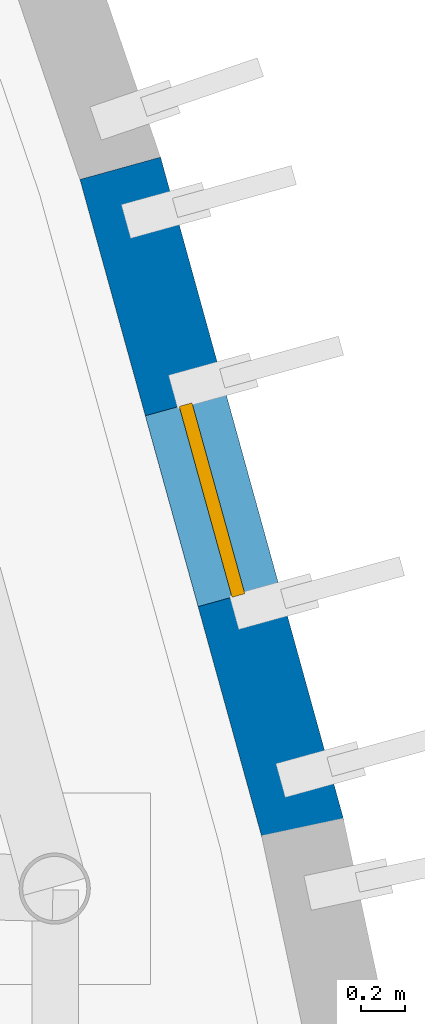
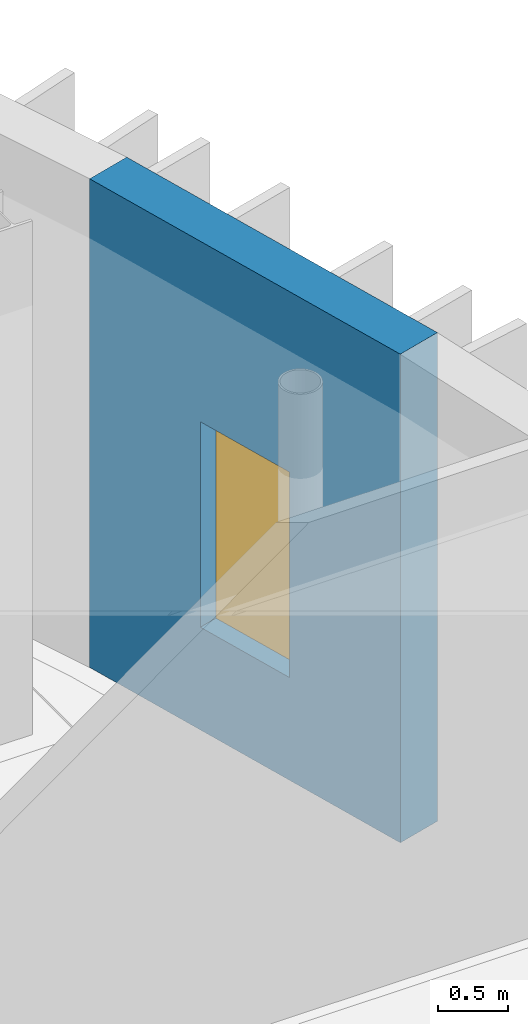
# One storey, part 47 of 62: 1 wall, 1 window, 1 opening.
"""IFC4 building model written with IfcOpenShell, lengths in metres."""

from ifc_helpers import new_model, si_unit, direction, frame, frame_2d, origin, place, context, subcontext, project, spatial, rectangle, extrude, material, layer, layer_set, type_object, element, fill, save


model = new_model("IFC4")

# Units and contexts
model_context = context("Model", 3, precision=1e-05, world=origin(), true_north=direction((0.0, 1.0)))
body_context = subcontext(model_context, "Body", "Model", "MODEL_VIEW")
ifc_project = project(units=[si_unit("LENGTHUNIT", "METRE"), si_unit("AREAUNIT", "SQUARE_METRE"), si_unit("VOLUMEUNIT", "CUBIC_METRE"), si_unit("PLANEANGLEUNIT", "RADIAN"), si_unit("MASSUNIT", "GRAM", prefix="KILO")], contexts=[model_context])

# Site, building, storey
site_placement = place(None, origin())
site = spatial("IfcSite", under=ifc_project, at=site_placement, CompositionType="ELEMENT")
building_placement = place(site_placement, origin())
building = spatial("IfcBuilding", under=site, at=building_placement, Name="Cymarion Research Institute", CompositionType="ELEMENT")
storey_placement = place(building_placement, frame((0.0, 0.0, 18.300048828125)))
storey = spatial("IfcBuildingStorey", under=building, at=storey_placement, Name="L04", CompositionType="ELEMENT", Elevation=18.300048828125)

# Wall, opening, window
ifc_material_1 = material(Name="Precast concrete C40/50", Category="concrete")
ifc_layer = layer(ifc_material_1, 0.3798828125)
ifc_layer_set = layer_set([ifc_layer], Name="Precast concrete C40/50")
wall_type = type_object("IfcWallType", Name="EXTERIOR WALL EW-PC380 380MM", PredefinedType="SOLIDWALL", material=ifc_layer_set)
wall_placement = place(storey_placement, frame((166.059326171875, 35.485595703125, 0.0), z_axis=(0.0, 0.0, 1.0), x_axis=(-0.26649659626, 0.963835859564, 0.0)))
wall = element("IfcWall", 1, at=wall_placement, inside=storey, type_object=wall_type, Name="L04 V1 exterior wall EW-PC380 #206", PredefinedType="SOLIDWALL", context=body_context, shape_type="SweptSolid", body=[
    extrude(rectangle(XDim=3.12841796875, YDim=0.3798828125, at=frame_2d((1.564208984375, 0.0))), origin(), (0.0, 0.0, 1.0), 4.280029296875),
])
opening_placement = place(wall_placement, frame((1.114013671875, 0.0, 0.89990234375)))
opening = element("IfcOpeningElement", 2, at=opening_placement, cuts=wall, Name="Opening W24", PredefinedType="OPENING", context=body_context, shape_type="SweptSolid", body=[
    extrude(rectangle(XDim=0.89990234375, YDim=1.800048828125, at=frame_2d((0.449951171875, 0.89990234375))), frame((0.0, 0.199951171875, 0.0), z_axis=(0.0, -1.0, 0.0), x_axis=(1.0, 0.0, 0.0)), (0.0, 0.0, 1.0), 0.39990234375),
])
ifc_material_2 = material(Name="Thermally broken aluminium window with Low-E glazing", Category="aluminium")
window_type = type_object("IfcWindowType", Name="THERMALLY BROKEN ALUMINIUM WINDOW W24 900X1800", PartitioningType="SINGLE_PANEL", PredefinedType="WINDOW", material=ifc_material_2)
window_placement = place(opening_placement, origin())
window = element("IfcWindow", 3, at=window_placement, inside=storey, type_object=window_type, Name="L04 V1 facade window W24 #373", OverallHeight=1.800048828125, OverallWidth=0.89990234375, PartitioningType="SINGLE_PANEL", PredefinedType="WINDOW", context=body_context, shape_type="SweptSolid", body=[
    extrude(rectangle(XDim=0.89990234375, YDim=1.800048828125, at=frame_2d((0.449951171875, 0.89990234375))), frame((0.0, 0.030029296875, 0.0), z_axis=(0.0, -1.0, 0.0), x_axis=(1.0, 0.0, 0.0)), (0.0, 0.0, 1.0), 0.06005859375),
])
fill(opening, window)

save(model, "model.ifc")
